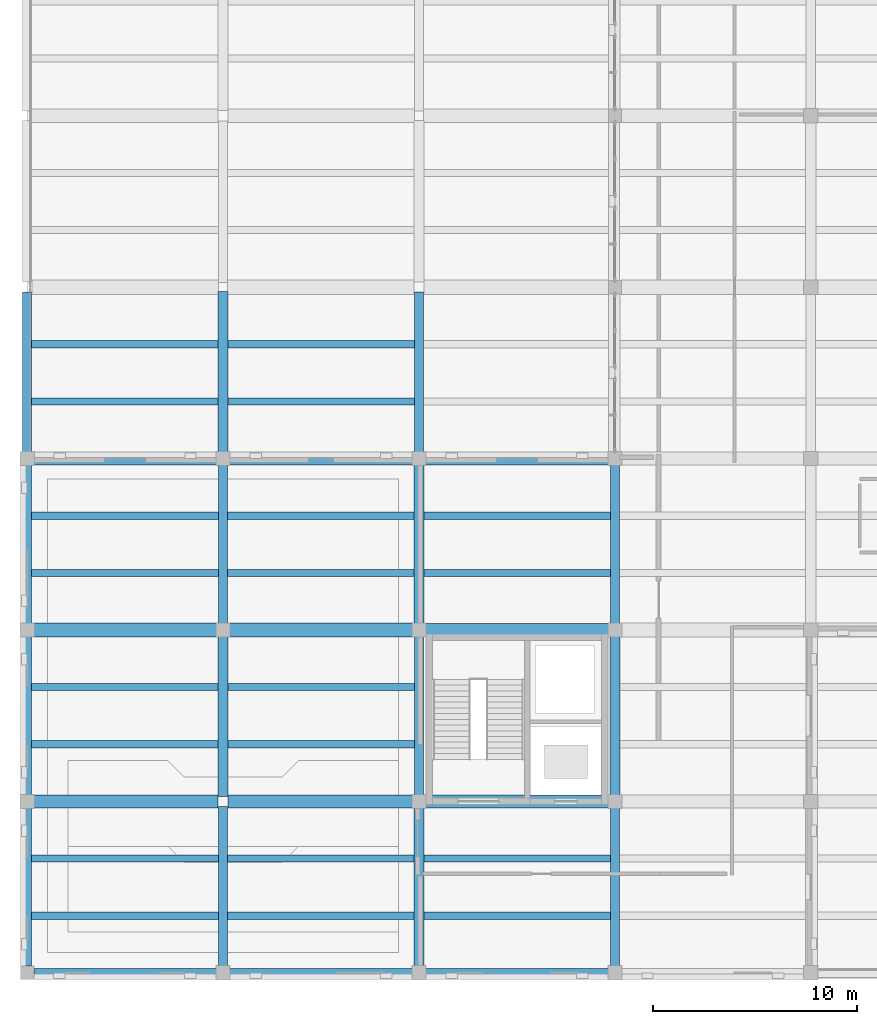
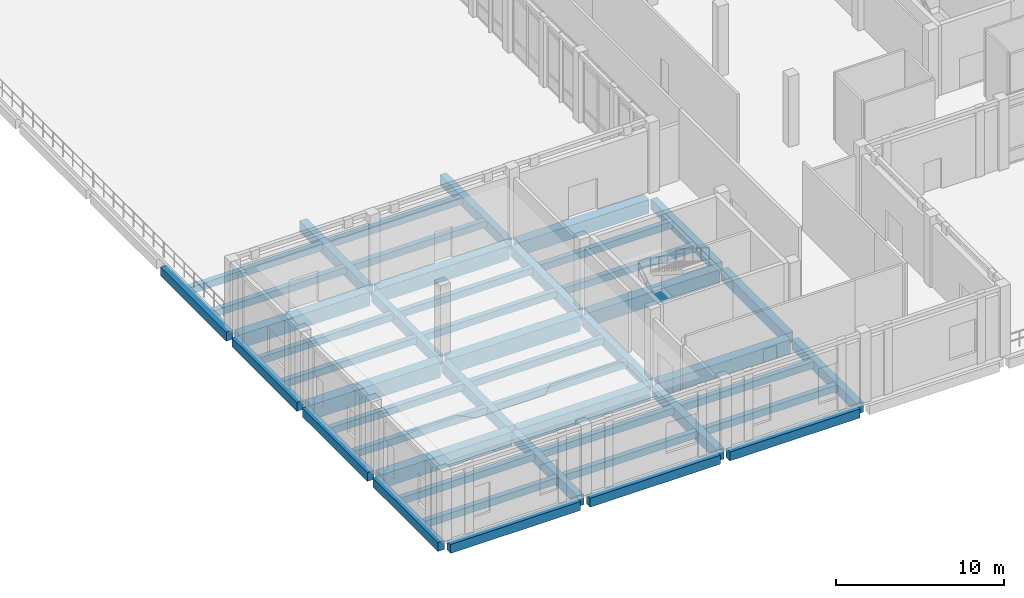
# One storey, part 13 of 71: 47 beams.
"""IFC4 building model written with IfcOpenShell, lengths in metres."""

from ifc_helpers import new_model, si_unit, direction, frame, origin, origin_2d, place, context, subcontext, project, spatial, rectangle, extrude, material, material_profile, profile_set, type_object, element, save


model = new_model("IFC4")

# Units and contexts
model_context = context("Model", 3, precision=1e-05, world=origin(), true_north=direction((0.0, 1.0)))
body_context = subcontext(model_context, "Body", "Model", "MODEL_VIEW")
ifc_project = project(units=[si_unit("LENGTHUNIT", "METRE"), si_unit("AREAUNIT", "SQUARE_METRE"), si_unit("VOLUMEUNIT", "CUBIC_METRE"), si_unit("PLANEANGLEUNIT", "RADIAN"), si_unit("MASSUNIT", "GRAM", prefix="KILO")], contexts=[model_context])

# Site, building, storey
site_placement = place(None, origin())
site = spatial("IfcSite", under=ifc_project, at=site_placement, CompositionType="ELEMENT")
building_placement = place(site_placement, origin())
building = spatial("IfcBuilding", under=site, at=building_placement, Name="Lornevale Opera House", CompositionType="ELEMENT")
storey_placement = place(building_placement, origin())
storey = spatial("IfcBuildingStorey", under=building, at=storey_placement, Name="L01", CompositionType="ELEMENT", Elevation=0.0)

# Beams
ifc_material_1 = material(Name="Concrete 35 MPa (CSA A23.1 N)", Category="concrete")
ifc_material_profile_1 = material_profile(ifc_material_1, rectangle(XDim=0.449951171875, YDim=0.75, at=origin_2d()), Name="RC450x750")
ifc_profile_set_1 = profile_set([ifc_material_profile_1], Name="Concrete 35 MPa (CSA A23.1 N)")
beam_type_1 = type_object("IfcBeamType", Name="Concrete Floor Beam 450x750", PredefinedType="USERDEFINED", material=ifc_profile_set_1)
beam_1_placement = place(storey_placement, frame((9.60009765625, 0.324951171875, -0.81494140625), z_axis=(0.0, 1.0, 0.0), x_axis=(-1.0, 0.0, 0.0)))
element("IfcBeam", 1, at=beam_1_placement, inside=storey, type_object=beam_type_1, Name="Concrete Floor Beam 450x750 1081", ObjectType="GIRDER", PredefinedType="USERDEFINED", context=body_context, shape_type="SweptSolid", body=[
    extrude(rectangle(XDim=0.449951171875, YDim=0.75, at=origin_2d()), origin(), (0.0, 0.0, 1.0), 7.824951171875),
])
for number, where, z_axis, x_axis, name in (
    (2, (9.60009765625, 17.125, -0.81494140625), (0.0, 1.0, 0.0), (-1.0, 0.0, 0.0), "Concrete Floor Beam 450x750 1083"),
    (3, (19.199951171875, 8.72509765625, -0.81494140625), (0.0, 1.0, 0.0), (-1.0, 0.0, 0.0), "Concrete Floor Beam 450x750 1094"),
):
    element("IfcBeam", number, at=place(storey_placement, frame(where, z_axis=z_axis, x_axis=x_axis)), inside=storey, type_object=beam_type_1, Name=name, ObjectType="GIRDER", PredefinedType="USERDEFINED", context=body_context, shape_type="SweptSolid", body=[
        extrude(rectangle(XDim=0.449951171875, YDim=0.75, at=origin_2d()), origin(), (0.0, 0.0, 1.0), 7.75),
    ])
beam_2_placement = place(storey_placement, frame((19.199951171875, 25.52490234375, -0.81494140625), z_axis=(0.0, 1.0, 0.0), x_axis=(-1.0, 0.0, 0.0)))
element("IfcBeam", 4, at=beam_2_placement, inside=storey, type_object=beam_type_1, Name="Concrete Floor Beam 450x750 1096", ObjectType="GIRDER", PredefinedType="USERDEFINED", context=body_context, shape_type="SweptSolid", body=[
    extrude(rectangle(XDim=0.449951171875, YDim=0.75, at=origin_2d()), origin(), (0.0, 0.0, 1.0), 7.8251953125),
])
for number, where, z_axis, x_axis, name in (
    (5, (28.800048828125, 0.324951171875, -0.81494140625), (0.0, 1.0, 0.0), (-1.0, 0.0, 0.0), "Concrete Floor Beam 450x750 1105"),
    (6, (28.800048828125, 17.125, -0.81494140625), (0.0, 1.0, 0.0), (-1.0, 0.0, 0.0), "Concrete Floor Beam 450x750 1107"),
):
    element("IfcBeam", number, at=place(storey_placement, frame(where, z_axis=z_axis, x_axis=x_axis)), inside=storey, type_object=beam_type_1, Name=name, ObjectType="GIRDER", PredefinedType="USERDEFINED", context=body_context, shape_type="SweptSolid", body=[
        extrude(rectangle(XDim=0.449951171875, YDim=0.75, at=origin_2d()), origin(), (0.0, 0.0, 1.0), 7.75),
    ])
ifc_material_profile_2 = material_profile(ifc_material_1, rectangle(XDim=0.5, YDim=0.800048828125, at=origin_2d()), Name="RC500x800")
ifc_profile_set_2 = profile_set([ifc_material_profile_2], Name="Concrete 35 MPa (CSA A23.1 N)")
beam_type_2 = type_object("IfcBeamType", Name="Concrete Floor Beam 500x800", PredefinedType="USERDEFINED", material=ifc_profile_set_2)
beam_3_placement = place(storey_placement, frame((9.60009765625, 8.64990234375, -0.840087890625), z_axis=(0.0, 1.0, 0.0), x_axis=(-1.0, 0.0, 0.0)))
element("IfcBeam", 7, at=beam_3_placement, inside=storey, type_object=beam_type_2, Name="Concrete Floor Beam 500x800 1082", ObjectType="GIRDER", PredefinedType="USERDEFINED", context=body_context, shape_type="SweptSolid", body=[
    extrude(rectangle(XDim=0.5, YDim=0.800048828125, at=origin_2d()), origin(), (0.0, 0.0, 1.0), 7.8251953125),
])
beam_4_placement = place(storey_placement, frame((9.60009765625, 25.52490234375, -0.840087890625), z_axis=(0.0, 1.0, 0.0), x_axis=(-1.0, 0.0, 0.0)))
element("IfcBeam", 8, at=beam_4_placement, inside=storey, type_object=beam_type_2, Name="Concrete Floor Beam 500x800 1084", ObjectType="GIRDER", PredefinedType="USERDEFINED", context=body_context, shape_type="SweptSolid", body=[
    extrude(rectangle(XDim=0.5, YDim=0.800048828125, at=origin_2d()), origin(), (0.0, 0.0, 1.0), 7.85009765625),
])
for number, where, z_axis, x_axis, name in (
    (9, (19.199951171875, 0.324951171875, -0.840087890625), (0.0, 1.0, 0.0), (-1.0, 0.0, 0.0), "Concrete Floor Beam 500x800 1093"),
    (10, (19.199951171875, 17.125, -0.840087890625), (0.0, 1.0, 0.0), (-1.0, 0.0, 0.0), "Concrete Floor Beam 500x800 1095"),
    (11, (28.800048828125, 8.72509765625, -0.840087890625), (0.0, 1.0, 0.0), (-1.0, 0.0, 0.0), "Concrete Floor Beam 500x800 1106"),
):
    element("IfcBeam", number, at=place(storey_placement, frame(where, z_axis=z_axis, x_axis=x_axis)), inside=storey, type_object=beam_type_2, Name=name, ObjectType="GIRDER", PredefinedType="USERDEFINED", context=body_context, shape_type="SweptSolid", body=[
        extrude(rectangle(XDim=0.5, YDim=0.800048828125, at=origin_2d()), origin(), (0.0, 0.0, 1.0), 7.75),
    ])
ifc_material_2 = material(Name="Concrete 40 MPa (CSA A23.1 C-1)", Category="concrete")
ifc_material_profile_3 = material_profile(ifc_material_2, rectangle(XDim=0.64990234375, YDim=1.0, at=origin_2d()), Name="RC650x1000")
ifc_profile_set_3 = profile_set([ifc_material_profile_3], Name="Concrete 40 MPa (CSA A23.1 C-1)")
beam_type_3 = type_object("IfcBeamType", Name="Concrete Primary Girder 650x1000", PredefinedType="USERDEFINED", material=ifc_profile_set_3)
beam_5_placement = place(storey_placement, frame((0.324951171875, 8.39990234375, -0.93994140625), z_axis=(1.0, 0.0, 0.0), x_axis=(0.0, 1.0, 0.0)))
element("IfcBeam", 12, at=beam_5_placement, inside=storey, type_object=beam_type_3, Name="Concrete Primary Girder 650x1000 0856", ObjectType="GIRDER", PredefinedType="USERDEFINED", context=body_context, shape_type="SweptSolid", body=[
    extrude(rectangle(XDim=0.64990234375, YDim=1.0, at=origin_2d()), origin(), (0.0, 0.0, 1.0), 9.025146484375),
])
beam_6_placement = place(storey_placement, frame((9.85009765625, 8.39990234375, -0.93994140625), z_axis=(1.0, 0.0, 0.0), x_axis=(0.0, 1.0, 0.0)))
element("IfcBeam", 13, at=beam_6_placement, inside=storey, type_object=beam_type_3, Name="Concrete Primary Girder 650x1000 0857", ObjectType="GIRDER", PredefinedType="USERDEFINED", context=body_context, shape_type="SweptSolid", body=[
    extrude(rectangle(XDim=0.64990234375, YDim=1.0, at=origin_2d()), origin(), (0.0, 0.0, 1.0), 9.02490234375),
])
for number, where, z_axis, x_axis, name in (
    (14, (19.52490234375, 8.39990234375, -0.93994140625), (1.0, 0.0, 0.0), (0.0, 1.0, 0.0), "Concrete Primary Girder 650x1000 0858"),
    (15, (19.52490234375, 16.800048828125, -0.93994140625), (1.0, 0.0, 0.0), (0.0, 1.0, 0.0), "Concrete Primary Girder 650x1000 0874"),
):
    element("IfcBeam", number, at=place(storey_placement, frame(where, z_axis=z_axis, x_axis=x_axis)), inside=storey, type_object=beam_type_3, Name=name, ObjectType="GIRDER", PredefinedType="USERDEFINED", context=body_context, shape_type="SweptSolid", body=[
        extrude(rectangle(XDim=0.64990234375, YDim=1.0, at=origin_2d()), origin(), (0.0, 0.0, 1.0), 8.9501953125),
    ])
for number, where, z_axis, x_axis, name in (
    (16, (0.324951171875, 25.199951171875, -0.93994140625), (1.0, 0.0, 0.0), (0.0, 1.0, 0.0), "Concrete Primary Girder 650x1000 0889"),
    (17, (9.925048828125, 25.199951171875, -0.93994140625), (1.0, 0.0, 0.0), (0.0, 1.0, 0.0), "Concrete Primary Girder 650x1000 0890"),
):
    element("IfcBeam", number, at=place(storey_placement, frame(where, z_axis=z_axis, x_axis=x_axis)), inside=storey, type_object=beam_type_3, Name=name, ObjectType="GIRDER", PredefinedType="USERDEFINED", context=body_context, shape_type="SweptSolid", body=[
        extrude(rectangle(XDim=0.64990234375, YDim=1.0, at=origin_2d()), origin(), (0.0, 0.0, 1.0), 8.949951171875),
    ])
beam_7_placement = place(storey_placement, frame((19.52490234375, 25.199951171875, -0.93994140625), z_axis=(1.0, 0.0, 0.0), x_axis=(0.0, 1.0, 0.0)))
element("IfcBeam", 18, at=beam_7_placement, inside=storey, type_object=beam_type_3, Name="Concrete Primary Girder 650x1000 0891", ObjectType="GIRDER", PredefinedType="USERDEFINED", context=body_context, shape_type="SweptSolid", body=[
    extrude(rectangle(XDim=0.64990234375, YDim=1.0, at=origin_2d()), origin(), (0.0, 0.0, 1.0), 8.9501953125),
])
ifc_material_profile_4 = material_profile(ifc_material_2, rectangle(XDim=0.699951171875, YDim=1.10009765625, at=origin_2d()), Name="RC700x1100")
ifc_profile_set_4 = profile_set([ifc_material_profile_4], Name="Concrete 40 MPa (CSA A23.1 C-1)")
beam_type_4 = type_object("IfcBeamType", Name="Concrete Primary Girder 700x1100", PredefinedType="USERDEFINED", material=ifc_profile_set_4)
for number, where, z_axis, x_axis, name in (
    (19, (0.324951171875, 16.800048828125, -0.989990234375), (1.0, 0.0, 0.0), (0.0, 1.0, 0.0), "Concrete Primary Girder 700x1100 0872"),
    (20, (9.925048828125, 16.800048828125, -0.989990234375), (1.0, 0.0, 0.0), (0.0, 1.0, 0.0), "Concrete Primary Girder 700x1100 0873"),
):
    element("IfcBeam", number, at=place(storey_placement, frame(where, z_axis=z_axis, x_axis=x_axis)), inside=storey, type_object=beam_type_4, Name=name, ObjectType="GIRDER", PredefinedType="USERDEFINED", context=body_context, shape_type="SweptSolid", body=[
        extrude(rectangle(XDim=0.699951171875, YDim=1.10009765625, at=origin_2d()), origin(), (0.0, 0.0, 1.0), 8.949951171875),
    ])
ifc_material_profile_5 = material_profile(ifc_material_1, rectangle(XDim=0.35009765625, YDim=0.5, at=origin_2d()), Name="RC350x500")
ifc_profile_set_5 = profile_set([ifc_material_profile_5], Name="Concrete 35 MPa (CSA A23.1 N)")
beam_type_5 = type_object("IfcBeamType", Name="Concrete Secondary Rib 350x500", PredefinedType="JOIST", material=ifc_profile_set_5)
for number, where, z_axis, x_axis, name in (
    (21, (0.22509765625, 2.800048828125, -0.68994140625), (1.0, 0.0, 0.0), (0.0, 1.0, 0.0), "Concrete Secondary Rib 350x500 1291"),
    (22, (0.22509765625, 5.60009765625, -0.68994140625), (1.0, 0.0, 0.0), (0.0, 1.0, 0.0), "Concrete Secondary Rib 350x500 1292"),
):
    element("IfcBeam", number, at=place(storey_placement, frame(where, z_axis=z_axis, x_axis=x_axis)), inside=storey, type_object=beam_type_5, Name=name, PredefinedType="JOIST", context=body_context, shape_type="SweptSolid", body=[
        extrude(rectangle(XDim=0.35009765625, YDim=0.5, at=origin_2d()), origin(), (0.0, 0.0, 1.0), 9.14990234375),
    ])
for number, where, z_axis, x_axis, name in (
    (23, (0.22509765625, 11.199951171875, -0.68994140625), (1.0, 0.0, 0.0), (0.0, 1.0, 0.0), "Concrete Secondary Rib 350x500 1293"),
    (24, (0.22509765625, 14.0, -0.68994140625), (1.0, 0.0, 0.0), (0.0, 1.0, 0.0), "Concrete Secondary Rib 350x500 1294"),
):
    element("IfcBeam", number, at=place(storey_placement, frame(where, z_axis=z_axis, x_axis=x_axis)), inside=storey, type_object=beam_type_5, Name=name, PredefinedType="JOIST", context=body_context, shape_type="SweptSolid", body=[
        extrude(rectangle(XDim=0.35009765625, YDim=0.5, at=origin_2d()), origin(), (0.0, 0.0, 1.0), 9.125),
    ])
for number, where, z_axis, x_axis, name in (
    (25, (0.22509765625, 19.60009765625, -0.68994140625), (1.0, 0.0, 0.0), (0.0, 1.0, 0.0), "Concrete Secondary Rib 350x500 1295"),
    (26, (0.22509765625, 22.39990234375, -0.68994140625), (1.0, 0.0, 0.0), (0.0, 1.0, 0.0), "Concrete Secondary Rib 350x500 1296"),
):
    element("IfcBeam", number, at=place(storey_placement, frame(where, z_axis=z_axis, x_axis=x_axis)), inside=storey, type_object=beam_type_5, Name=name, PredefinedType="JOIST", context=body_context, shape_type="SweptSolid", body=[
        extrude(rectangle(XDim=0.35009765625, YDim=0.5, at=origin_2d()), origin(), (0.0, 0.0, 1.0), 9.14990234375),
    ])
for number, where, z_axis, x_axis, name in (
    (27, (0.22509765625, 28.0, -0.68994140625), (1.0, 0.0, 0.0), (0.0, 1.0, 0.0), "Concrete Secondary Rib 350x500 1297"),
    (28, (0.22509765625, 30.800048828125, -0.68994140625), (1.0, 0.0, 0.0), (0.0, 1.0, 0.0), "Concrete Secondary Rib 350x500 1298"),
    (29, (9.824951171875, 2.800048828125, -0.68994140625), (1.0, 0.0, 0.0), (0.0, 1.0, 0.0), "Concrete Secondary Rib 350x500 1315"),
    (30, (9.824951171875, 5.60009765625, -0.68994140625), (1.0, 0.0, 0.0), (0.0, 1.0, 0.0), "Concrete Secondary Rib 350x500 1316"),
    (31, (9.85009765625, 11.199951171875, -0.68994140625), (1.0, 0.0, 0.0), (0.0, 1.0, 0.0), "Concrete Secondary Rib 350x500 1317"),
    (32, (9.85009765625, 14.0, -0.68994140625), (1.0, 0.0, 0.0), (0.0, 1.0, 0.0), "Concrete Secondary Rib 350x500 1318"),
    (33, (9.824951171875, 19.60009765625, -0.68994140625), (1.0, 0.0, 0.0), (0.0, 1.0, 0.0), "Concrete Secondary Rib 350x500 1319"),
    (34, (9.824951171875, 22.39990234375, -0.68994140625), (1.0, 0.0, 0.0), (0.0, 1.0, 0.0), "Concrete Secondary Rib 350x500 1320"),
    (35, (9.85009765625, 28.0, -0.68994140625), (1.0, 0.0, 0.0), (0.0, 1.0, 0.0), "Concrete Secondary Rib 350x500 1321"),
    (36, (9.85009765625, 30.800048828125, -0.68994140625), (1.0, 0.0, 0.0), (0.0, 1.0, 0.0), "Concrete Secondary Rib 350x500 1322"),
    (37, (19.449951171875, 2.800048828125, -0.68994140625), (1.0, 0.0, 0.0), (0.0, 1.0, 0.0), "Concrete Secondary Rib 350x500 1339"),
    (38, (19.449951171875, 5.60009765625, -0.68994140625), (1.0, 0.0, 0.0), (0.0, 1.0, 0.0), "Concrete Secondary Rib 350x500 1340"),
    (39, (19.449951171875, 19.60009765625, -0.68994140625), (1.0, 0.0, 0.0), (0.0, 1.0, 0.0), "Concrete Secondary Rib 350x500 1341"),
    (40, (19.449951171875, 22.39990234375, -0.68994140625), (1.0, 0.0, 0.0), (0.0, 1.0, 0.0), "Concrete Secondary Rib 350x500 1342"),
):
    element("IfcBeam", number, at=place(storey_placement, frame(where, z_axis=z_axis, x_axis=x_axis)), inside=storey, type_object=beam_type_5, Name=name, PredefinedType="JOIST", context=body_context, shape_type="SweptSolid", body=[
        extrude(rectangle(XDim=0.35009765625, YDim=0.5, at=origin_2d()), origin(), (0.0, 0.0, 1.0), 9.125),
    ])
ifc_material_profile_6 = material_profile(ifc_material_1, rectangle(XDim=0.449951171875, YDim=0.64990234375, at=origin_2d()), Name="RC450x650")
ifc_profile_set_6 = profile_set([ifc_material_profile_6], Name="Concrete 35 MPa (CSA A23.1 N)")
beam_type_6 = type_object("IfcBeamType", Name="Concrete Spandrel Beam 450x650", PredefinedType="SPANDREL", material=ifc_profile_set_6)
for number, where, z_axis, x_axis, name in (
    (41, (0.324951171875, 0.0, -0.764892578125), (1.0, 0.0, 0.0), (0.0, 1.0, 0.0), "Concrete Spandrel Beam 450x650 0843"),
    (42, (9.925048828125, 0.0, -0.764892578125), (1.0, 0.0, 0.0), (0.0, 1.0, 0.0), "Concrete Spandrel Beam 450x650 0844"),
):
    element("IfcBeam", number, at=place(storey_placement, frame(where, z_axis=z_axis, x_axis=x_axis)), inside=storey, type_object=beam_type_6, Name=name, PredefinedType="SPANDREL", context=body_context, shape_type="SweptSolid", body=[
        extrude(rectangle(XDim=0.449951171875, YDim=0.64990234375, at=origin_2d()), origin(), (0.0, 0.0, 1.0), 8.949951171875),
    ])
beam_8_placement = place(storey_placement, frame((19.52490234375, 0.0, -0.764892578125), z_axis=(1.0, 0.0, 0.0), x_axis=(0.0, 1.0, 0.0)))
element("IfcBeam", 43, at=beam_8_placement, inside=storey, type_object=beam_type_6, Name="Concrete Spandrel Beam 450x650 0845", PredefinedType="SPANDREL", context=body_context, shape_type="SweptSolid", body=[
    extrude(rectangle(XDim=0.449951171875, YDim=0.64990234375, at=origin_2d()), origin(), (0.0, 0.0, 1.0), 8.9501953125),
])
for number, where, z_axis, x_axis, name in (
    (44, (0.0, 0.324951171875, -0.764892578125), (0.0, 1.0, 0.0), (-1.0, 0.0, 0.0), "Concrete Spandrel Beam 450x650 1069"),
    (45, (0.0, 8.72509765625, -0.764892578125), (0.0, 1.0, 0.0), (-1.0, 0.0, 0.0), "Concrete Spandrel Beam 450x650 1070"),
    (46, (0.0, 17.125, -0.764892578125), (0.0, 1.0, 0.0), (-1.0, 0.0, 0.0), "Concrete Spandrel Beam 450x650 1071"),
):
    element("IfcBeam", number, at=place(storey_placement, frame(where, z_axis=z_axis, x_axis=x_axis)), inside=storey, type_object=beam_type_6, Name=name, PredefinedType="SPANDREL", context=body_context, shape_type="SweptSolid", body=[
        extrude(rectangle(XDim=0.449951171875, YDim=0.64990234375, at=origin_2d()), origin(), (0.0, 0.0, 1.0), 7.75),
    ])
beam_9_placement = place(storey_placement, frame((0.0, 25.52490234375, -0.764892578125), z_axis=(0.0, 1.0, 0.0), x_axis=(-1.0, 0.0, 0.0)))
element("IfcBeam", 47, at=beam_9_placement, inside=storey, type_object=beam_type_6, Name="Concrete Spandrel Beam 450x650 1072", PredefinedType="SPANDREL", context=body_context, shape_type="SweptSolid", body=[
    extrude(rectangle(XDim=0.449951171875, YDim=0.64990234375, at=origin_2d()), origin(), (0.0, 0.0, 1.0), 7.8251953125),
])

save(model, "model.ifc")
